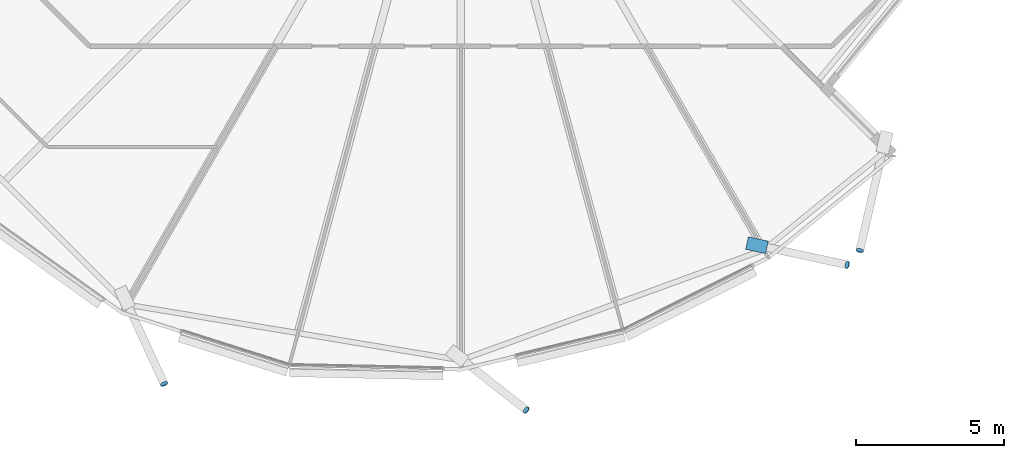
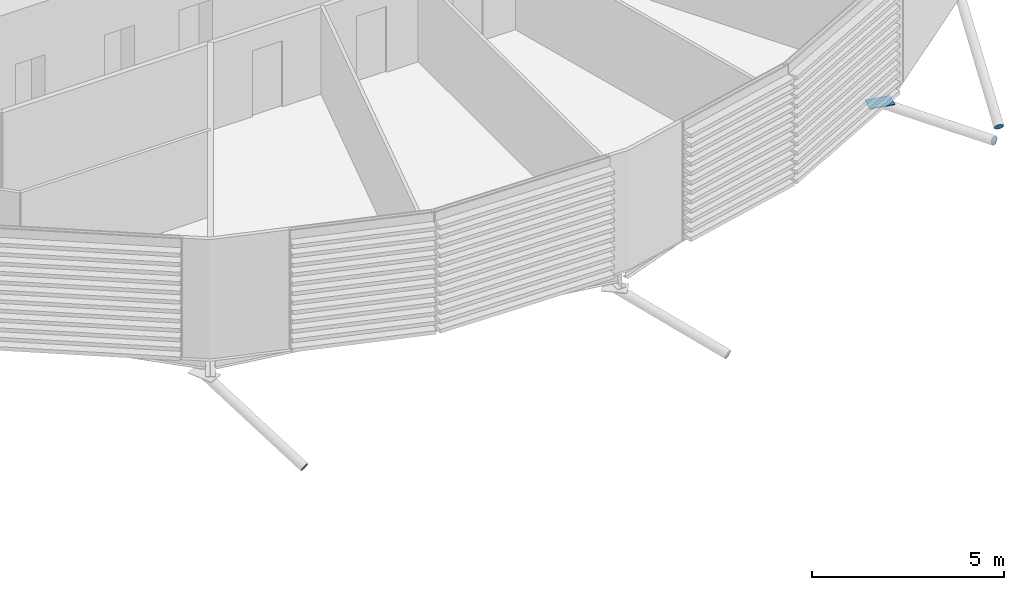
# One storey, part 30 of 38: 5 discrete accessories.
"""IFC4 building model written with IfcOpenShell, lengths in metres."""

from ifc_helpers import new_model, si_unit, direction, frame, origin, origin_2d, place, context, subcontext, project, spatial, polyline, rectangle, circle, outline, extrude, material, material_profile, profile_set, type_object, element, save


model = new_model("IFC4")

# Units and contexts
model_context = context("Model", 3, precision=1e-05, world=origin(), true_north=direction((0.0, 1.0)))
body_context = subcontext(model_context, "Body", "Model", "MODEL_VIEW")
ifc_project = project(units=[si_unit("LENGTHUNIT", "METRE"), si_unit("AREAUNIT", "SQUARE_METRE"), si_unit("VOLUMEUNIT", "CUBIC_METRE"), si_unit("PLANEANGLEUNIT", "RADIAN"), si_unit("MASSUNIT", "GRAM", prefix="KILO")], contexts=[model_context])

# Site, building, storey
site_placement = place(None, origin())
site = spatial("IfcSite", under=ifc_project, at=site_placement, CompositionType="ELEMENT")
building_placement = place(site_placement, origin())
building = spatial("IfcBuilding", under=site, at=building_placement, Name="Rimbun Link Towers", CompositionType="ELEMENT")
storey_placement = place(building_placement, frame((0.0, 0.0, 123.39990234375)))
storey = spatial("IfcBuildingStorey", under=building, at=storey_placement, Name="L30", CompositionType="ELEMENT", Elevation=123.39990234375)

# Discrete accessories
ifc_material_1 = material(Name="Steel S355J2H", Category="steel")
ifc_material_profile_1 = material_profile(ifc_material_1, circle(Radius=0.1240234375, at=origin_2d()), Name="PL D248")
ifc_profile_set_1 = profile_set([ifc_material_profile_1], Name="Steel S355J2H")
discrete_accessory_type_1 = type_object("IfcDiscreteAccessoryType", Name="Link foot sealing plate D248X20", PredefinedType="BRACKET", material=ifc_profile_set_1)
discrete_accessory_1_placement = place(storey_placement, frame((21.712158203125, -22.267578125, -2.51953125), z_axis=(0.366508333069, -0.806318332752, -0.464243888554), x_axis=(0.910366477463, 0.413802944301, 0.0)))
element("IfcDiscreteAccessory", 1, at=discrete_accessory_1_placement, inside=storey, type_object=discrete_accessory_type_1, Name="Link foot sealing plate T2 L30 13", PredefinedType="BRACKET", context=body_context, shape_type="SweptSolid", body=[
    extrude(circle(Radius=0.1240234375, at=origin_2d()), origin(), (0.0, 0.0, 1.0), 0.02001953125),
])
discrete_accessory_2_placement = place(storey_placement, frame((33.95654296875, -23.152587890625, -2.68408203125), z_axis=(0.666483087793, -0.521068595911, -0.533186470234), x_axis=(0.615921966398, 0.787807166322, 0.0)))
element("IfcDiscreteAccessory", 2, at=discrete_accessory_2_placement, inside=storey, type_object=discrete_accessory_type_1, Name="Link foot sealing plate T2 L30 15", PredefinedType="BRACKET", context=body_context, shape_type="SweptSolid", body=[
    extrude(circle(Radius=0.1240234375, at=origin_2d()), origin(), (0.0, 0.0, 1.0), 0.020263671875),
])
discrete_accessory_3_placement = place(storey_placement, frame((44.80712890625, -18.24658203125, -2.64794921875), z_axis=(0.839841254841, -0.182574185835, -0.511207720338), x_axis=(0.212429644331, 0.977176363923, 0.0)))
element("IfcDiscreteAccessory", 3, at=discrete_accessory_3_placement, inside=storey, type_object=discrete_accessory_type_1, Name="Link foot sealing plate T2 L30 17", PredefinedType="BRACKET", context=body_context, shape_type="SweptSolid", body=[
    extrude(circle(Radius=0.1240234375, at=origin_2d()), origin(), (0.0, 0.0, 1.0), 0.02001953125),
])
discrete_accessory_4_placement = place(storey_placement, frame((45.244140625, -17.7548828125, -2.64990234375), z_axis=(-0.193772206309, -0.859864165496, -0.472319752878), x_axis=(0.97553613825, -0.219839129747, 0.0)))
element("IfcDiscreteAccessory", 4, at=discrete_accessory_4_placement, inside=storey, type_object=discrete_accessory_type_1, Name="Link foot sealing plate T2 L30 18", PredefinedType="BRACKET", context=body_context, shape_type="SweptSolid", body=[
    extrude(circle(Radius=0.1240234375, at=origin_2d()), origin(), (0.0, 0.0, 1.0), 0.020263671875),
])
ifc_material_2 = material(Name="Steel S355J2H", Category="steel")
ifc_material_profile_2 = material_profile(ifc_material_2, rectangle(XDim=0.43310546875, YDim=0.43310546875, at=origin_2d()), Name="PL 433x433")
ifc_profile_set_2 = profile_set([ifc_material_profile_2], Name="Steel S355J2H")
discrete_accessory_type_2 = type_object("IfcDiscreteAccessoryType", Name="Link head end plate 433X20", PredefinedType="BRACKET", material=ifc_profile_set_2)
discrete_accessory_5_placement = place(storey_placement, frame((0.0, 0.0, -0.782470703125)))
element("IfcDiscreteAccessory", 5, at=discrete_accessory_5_placement, inside=storey, type_object=discrete_accessory_type_2, Name="Link head end plate T2 L30 17", PredefinedType="BRACKET", context=body_context, shape_type="SweptSolid", body=[
    extrude(outline(polyline([(41.380859375, -17.72412109375), (42.056396484375, -17.870849609375), (42.148193359375, -17.44775390625), (41.47265625, -17.301025390625), (41.380859375, -17.72412109375)])), origin(), (0.0, 0.0, 1.0), 0.02001953125),
])

save(model, "model.ifc")
